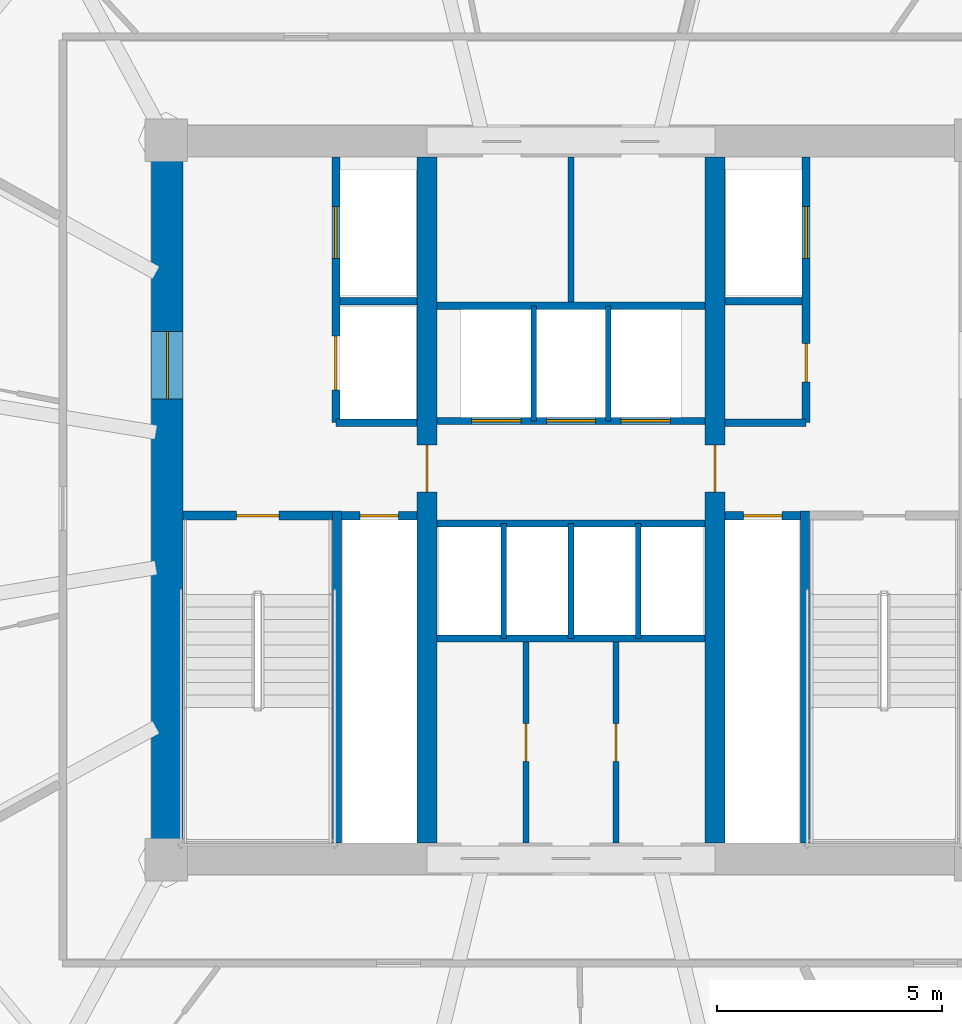
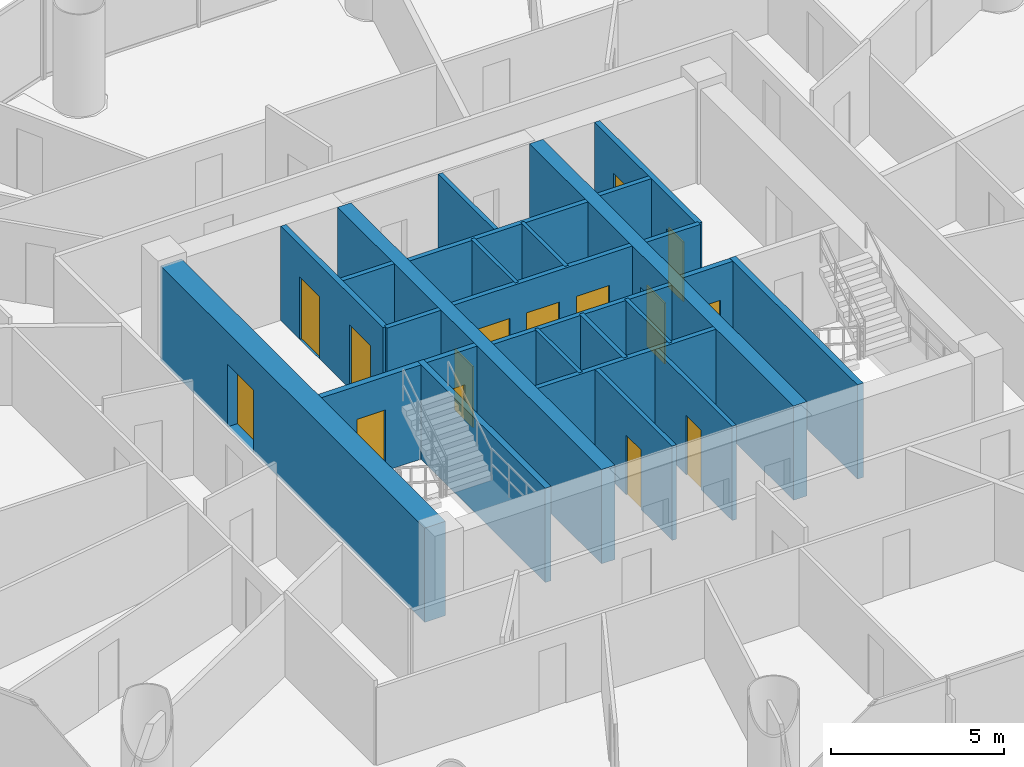
# One storey, part 22 of 28: 26 walls, 15 doors, 15 openings.
"""IFC4 building model written with IfcOpenShell, lengths in metres."""

from ifc_helpers import new_model, si_unit, direction, frame, frame_2d, origin, place, context, subcontext, project, spatial, rectangle, extrude, source, transform, mapped, material, layer, layer_set, type_object, element, fill, save


model = new_model("IFC4")

# Units and contexts
model_context = context("Model", 3, precision=1e-05, world=origin(), true_north=direction((-0.2419218956, 0.970295726276)))
body_context = subcontext(model_context, "Body", "Model", "MODEL_VIEW")
ifc_project = project(units=[si_unit("LENGTHUNIT", "METRE"), si_unit("AREAUNIT", "SQUARE_METRE"), si_unit("VOLUMEUNIT", "CUBIC_METRE"), si_unit("PLANEANGLEUNIT", "RADIAN"), si_unit("MASSUNIT", "GRAM", prefix="KILO")], contexts=[model_context])

# Site, building, storey
site_placement = place(None, origin())
site = spatial("IfcSite", under=ifc_project, at=site_placement, CompositionType="ELEMENT")
building_placement = place(site_placement, origin())
building = spatial("IfcBuilding", under=site, at=building_placement, Name="Cobrevalo Terracotta Tower", CompositionType="ELEMENT")
storey_placement = place(building_placement, frame((0.0, 0.0, 108.60009765625)))
storey = spatial("IfcBuildingStorey", under=building, at=storey_placement, Name="L28", CompositionType="ELEMENT", Elevation=108.60009765625)

# Wall, opening, door
ifc_material_1 = material(Name="Concrete C60", Category="concrete")
ifc_layer_1 = layer(ifc_material_1, 0.699951171875)
ifc_layer_set_1 = layer_set([ifc_layer_1], Name="Concrete C60")
wall_type_1 = type_object("IfcWallType", Name="Core shear wall 700 mm Concrete C60", PredefinedType="SHEAR", material=ifc_layer_set_1)
wall_1_placement = place(storey_placement, frame((29.02490234375, 19.175048828125, 0.0), z_axis=(0.0, 0.0, 1.0), x_axis=(0.0, 1.0, 0.0)))
wall_1 = element("IfcWall", 1, at=wall_1_placement, inside=storey, type_object=wall_type_1, Name="L28 west core shear wall", PredefinedType="SHEAR", context=body_context, shape_type="SweptSolid", body=[
    extrude(rectangle(XDim=15.25, YDim=0.699951171875, at=frame_2d((7.625, 0.0))), origin(), (0.0, 0.0, 1.0), 3.324951171875),
])
opening_1_placement = place(wall_1_placement, frame((9.875, 0.0, 0.0)))
opening_1 = element("IfcOpeningElement", 2, at=opening_1_placement, cuts=wall_1, Name="Opening ID-14", PredefinedType="OPENING", context=body_context, shape_type="SweptSolid", body=[
    extrude(rectangle(XDim=1.5, YDim=2.199951171875, at=frame_2d((0.75, 1.10009765625))), frame((0.0, 0.35986328125, 0.0), z_axis=(0.0, -1.0, 0.0), x_axis=(1.0, 0.0, 0.0)), (0.0, 0.0, 1.0), 0.719970703125),
])
ifc_material_2 = material(Name="Galvanized fire-rated steel", Category="steel")
door_type_1 = type_object("IfcDoorType", Name="Core cross-lobby double fire door 1500x2200 EI 90", OperationType="NOTDEFINED", PredefinedType="DOOR", material=ifc_material_2)
shared_shape_1 = source(origin(), body_context, "Body", "SweptSolid", [
    extrude(rectangle(XDim=1.5, YDim=2.199951171875, at=frame_2d((0.75, 1.10009765625))), frame((0.0, 0.02490234375, 0.0), z_axis=(0.0, -1.0, 0.0), x_axis=(1.0, 0.0, 0.0)), (0.0, 0.0, 1.0), 0.050048828125),
])
door_1_placement = place(opening_1_placement, origin())
door_1 = element("IfcDoor", 3, at=door_1_placement, inside=storey, type_object=door_type_1, Name="L28 west firefighting lobby entrance door", OperationType="DOUBLE_DOOR_SINGLE_SWING", OverallHeight=2.199951171875, OverallWidth=1.5, PredefinedType="DOOR", context=body_context, shape_type="MappedRepresentation", body=[
    mapped(shared_shape_1, transform((0.0, 0.0, 0.0), scale=1.0)),
])
fill(opening_1, door_1)

# Walls
ifc_material_3 = material(Name="Gypsum board on steel stud", Category="steel")
ifc_layer_2 = layer(ifc_material_3, 0.159912109375)
ifc_layer_set_2 = layer_set([ifc_layer_2], Name="Gypsum board on steel stud")
wall_type_2 = type_object("IfcWallType", Name="Fire-rated corridor acoustic partition wall 160 mm", PredefinedType="PARTITIONING", material=ifc_layer_set_2)
wall_2_placement = place(storey_placement, frame((32.860107421875, 31.219970703125, 0.0), z_axis=(0.0, 0.0, 1.0), x_axis=(1.0, 0.0, 0.0)))
element("IfcWall", 4, at=wall_2_placement, inside=storey, type_object=wall_type_2, Name="L28 interior partition IW-L28-FF1-M", PredefinedType="PARTITIONING", context=body_context, shape_type="SweptSolid", body=[
    extrude(rectangle(XDim=1.71484375, YDim=0.159912109375, at=frame_2d((0.857421875, 0.0))), origin(), (0.0, 0.0, 1.0), 3.324951171875),
])
wall_3_placement = place(storey_placement, frame((32.77001953125, 28.52001953125, 0.0), z_axis=(0.0, 0.0, 1.0), x_axis=(1.0, 0.0, 0.0)))
element("IfcWall", 5, at=wall_3_placement, inside=storey, type_object=wall_type_2, Name="L28 interior partition IW-L28-FF1-S", PredefinedType="PARTITIONING", context=body_context, shape_type="SweptSolid", body=[
    extrude(rectangle(XDim=1.804931640625, YDim=0.159912109375, at=frame_2d((0.90234375, 0.0))), origin(), (0.0, 0.0, 1.0), 3.324951171875),
])
wall_4_placement = place(storey_placement, frame((41.425048828125, 31.219970703125, 0.0), z_axis=(0.0, 0.0, 1.0), x_axis=(1.0, 0.0, 0.0)))
element("IfcWall", 6, at=wall_4_placement, inside=storey, type_object=wall_type_2, Name="L28 interior partition IW-L28-FF2-M", PredefinedType="PARTITIONING", context=body_context, shape_type="SweptSolid", body=[
    extrude(rectangle(XDim=1.71484375, YDim=0.159912109375, at=frame_2d((0.857421875, 0.0))), origin(), (0.0, 0.0, 1.0), 3.324951171875),
])
wall_5_placement = place(storey_placement, frame((41.425048828125, 28.52001953125, 0.0), z_axis=(0.0, 0.0, 1.0), x_axis=(1.0, 0.0, 0.0)))
element("IfcWall", 7, at=wall_5_placement, inside=storey, type_object=wall_type_2, Name="L28 interior partition IW-L28-FF2-S", PredefinedType="PARTITIONING", context=body_context, shape_type="SweptSolid", body=[
    extrude(rectangle(XDim=1.804931640625, YDim=0.159912109375, at=frame_2d((0.90234375, 0.0))), origin(), (0.0, 0.0, 1.0), 3.324951171875),
])

# Wall, openings, doors
wall_6_placement = place(storey_placement, frame((35.02490234375, 28.56005859375, 0.0), z_axis=(0.0, 0.0, 1.0), x_axis=(1.0, 0.0, 0.0)))
wall_6 = element("IfcWall", 8, at=wall_6_placement, inside=storey, type_object=wall_type_2, Name="L28 interior partition IW-L28-LB-S", PredefinedType="PARTITIONING", context=body_context, shape_type="SweptSolid", body=[
    extrude(rectangle(XDim=5.9501953125, YDim=0.159912109375, at=frame_2d((2.97509765625, 0.0))), origin(), (0.0, 0.0, 1.0), 3.324951171875),
])
opening_2_placement = place(wall_6_placement, frame((0.760009765625, 0.0, 0.0)))
opening_2 = element("IfcOpeningElement", 9, at=opening_2_placement, cuts=wall_6, Name="Opening LD-01", PredefinedType="OPENING", context=body_context, shape_type="SweptSolid", body=[
    extrude(rectangle(XDim=1.10009765625, YDim=2.199951171875, at=frame_2d((0.550048828125, 1.10009765625))), frame((0.0, 0.08984375, 0.0), z_axis=(0.0, -1.0, 0.0), x_axis=(1.0, 0.0, 0.0)), (0.0, 0.0, 1.0), 0.179931640625),
])
opening_3_placement = place(wall_6_placement, frame((2.425048828125, 0.0, 0.0)))
opening_3 = element("IfcOpeningElement", 10, at=opening_3_placement, cuts=wall_6, Name="Opening LD-01", PredefinedType="OPENING", context=body_context, shape_type="SweptSolid", body=[
    extrude(rectangle(XDim=1.10009765625, YDim=2.199951171875, at=frame_2d((0.550048828125, 1.10009765625))), frame((0.0, 0.08984375, 0.0), z_axis=(0.0, -1.0, 0.0), x_axis=(1.0, 0.0, 0.0)), (0.0, 0.0, 1.0), 0.179931640625),
])
opening_4_placement = place(wall_6_placement, frame((4.090087890625, 0.0, 0.0)))
opening_4 = element("IfcOpeningElement", 11, at=opening_4_placement, cuts=wall_6, Name="Opening LD-01", PredefinedType="OPENING", context=body_context, shape_type="SweptSolid", body=[
    extrude(rectangle(XDim=1.10009765625, YDim=2.199951171875, at=frame_2d((0.550048828125, 1.10009765625))), frame((0.0, 0.08984375, 0.0), z_axis=(0.0, -1.0, 0.0), x_axis=(1.0, 0.0, 0.0)), (0.0, 0.0, 1.0), 0.179931640625),
])
ifc_material_4 = material(Name="Brushed stainless steel", Category="steel")
door_type_2 = type_object("IfcDoorType", Name="Passenger lift landing bi-parting sliding door 1100x2200 EI 90", OperationType="DOUBLE_DOOR_SLIDING", PredefinedType="DOOR", material=ifc_material_4)
shared_shape_2 = source(origin(), body_context, "Body", "SweptSolid", [
    extrude(rectangle(XDim=1.10009765625, YDim=2.199951171875, at=frame_2d((0.550048828125, 1.10009765625))), frame((0.0, 0.02490234375, 0.0), z_axis=(0.0, -1.0, 0.0), x_axis=(1.0, 0.0, 0.0)), (0.0, 0.0, 1.0), 0.050048828125),
])
door_2_placement = place(opening_2_placement, origin())
door_2 = element("IfcDoor", 12, at=door_2_placement, inside=storey, type_object=door_type_2, Name="L28 lift landing door PL-L1", OperationType="DOUBLE_DOOR_SLIDING", OverallHeight=2.199951171875, OverallWidth=1.10009765625, PredefinedType="DOOR", context=body_context, shape_type="MappedRepresentation", body=[
    mapped(shared_shape_2, transform((0.0, 0.0, 0.0), scale=1.0)),
])
fill(opening_2, door_2)
door_3_placement = place(opening_3_placement, origin())
door_3 = element("IfcDoor", 13, at=door_3_placement, inside=storey, type_object=door_type_2, Name="L28 lift landing door PL-L2", OperationType="DOUBLE_DOOR_SLIDING", OverallHeight=2.199951171875, OverallWidth=1.10009765625, PredefinedType="DOOR", context=body_context, shape_type="MappedRepresentation", body=[
    mapped(shared_shape_2, transform((0.0, 0.0, 0.0), scale=1.0)),
])
fill(opening_3, door_3)
door_4_placement = place(opening_4_placement, origin())
door_4 = element("IfcDoor", 14, at=door_4_placement, inside=storey, type_object=door_type_2, Name="L28 lift landing door PL-L3", OperationType="DOUBLE_DOOR_SLIDING", OverallHeight=2.199951171875, OverallWidth=1.10009765625, PredefinedType="DOOR", context=body_context, shape_type="MappedRepresentation", body=[
    mapped(shared_shape_2, transform((0.0, 0.0, 0.0), scale=1.0)),
])
fill(opening_4, door_4)

# Walls
for number, where, z_axis, x_axis, name in (
    (15, (35.02490234375, 31.1201171875, 0.0), (0.0, 0.0, 1.0), (1.0, 0.0, 0.0), "L28 interior partition IW-L28-LB-N"),
    (16, (35.02490234375, 26.280029296875, 0.0), (0.0, 0.0, 1.0), (1.0, 0.0, 0.0), "L28 interior partition IW-L28-MB-N"),
    (17, (35.02490234375, 23.719970703125, 0.0), (0.0, 0.0, 1.0), (1.0, 0.0, 0.0), "L28 interior partition IW-L28-MB-S"),
):
    element("IfcWall", number, at=place(storey_placement, frame(where, z_axis=z_axis, x_axis=x_axis)), inside=storey, type_object=wall_type_2, Name=name, PredefinedType="PARTITIONING", context=body_context, shape_type="SweptSolid", body=[
        extrude(rectangle(XDim=5.9501953125, YDim=0.159912109375, at=frame_2d((2.97509765625, 0.0))), origin(), (0.0, 0.0, 1.0), 3.324951171875),
    ])

# Wall, opening, door
ifc_layer_3 = layer(ifc_material_3, 0.179931640625)
ifc_layer_set_3 = layer_set([ifc_layer_3], Name="Gypsum board on steel stud")
wall_type_3 = type_object("IfcWallType", Name="Fire-rated shaft & lobby acoustic partition wall 180 mm", PredefinedType="PARTITIONING", material=ifc_layer_set_3)
wall_7_placement = place(storey_placement, frame((32.89990234375, 26.449951171875, 0.0), z_axis=(0.0, 0.0, 1.0), x_axis=(1.0, 0.0, 0.0)))
wall_7 = element("IfcWall", 18, at=wall_7_placement, inside=storey, type_object=wall_type_3, Name="L28 interior partition IW-L28-RSW-N", PredefinedType="PARTITIONING", context=body_context, shape_type="SweptSolid", body=[
    extrude(rectangle(XDim=1.675048828125, YDim=0.179931640625, at=frame_2d((0.83740234375, 0.0))), origin(), (0.0, 0.0, 1.0), 3.324951171875),
])
opening_5_placement = place(wall_7_placement, frame((0.41259765625, 0.0, 0.0)))
opening_5 = element("IfcOpeningElement", 19, at=opening_5_placement, cuts=wall_7, Name="Opening ID-22", PredefinedType="OPENING", context=body_context, shape_type="SweptSolid", body=[
    extrude(rectangle(XDim=0.85009765625, YDim=2.10009765625, at=frame_2d((0.425048828125, 1.050048828125))), frame((0.0, 0.10009765625, 0.0), z_axis=(0.0, -1.0, 0.0), x_axis=(1.0, 0.0, 0.0)), (0.0, 0.0, 1.0), 0.199951171875),
])
ifc_material_5 = material(Name="Powder-coated steel", Category="steel")
door_type_3 = type_object("IfcDoorType", Name="Riser shaft & meter closet fire access door 850x2100 EI 60", OperationType="NOTDEFINED", PredefinedType="DOOR", material=ifc_material_5)
shared_shape_3 = source(origin(), body_context, "Body", "SweptSolid", [
    extrude(rectangle(XDim=0.85009765625, YDim=2.10009765625, at=frame_2d((0.425048828125, 1.050048828125))), frame((0.0, 0.02490234375, 0.0), z_axis=(0.0, -1.0, 0.0), x_axis=(1.0, 0.0, 0.0)), (0.0, 0.0, 1.0), 0.050048828125),
])
door_5_placement = place(opening_5_placement, origin())
door_5 = element("IfcDoor", 20, at=door_5_placement, inside=storey, type_object=door_type_3, Name="L28 riser access door RSW", OperationType="SINGLE_SWING_LEFT", OverallHeight=2.10009765625, OverallWidth=0.85009765625, PredefinedType="DOOR", context=body_context, shape_type="MappedRepresentation", body=[
    mapped(shared_shape_3, transform((0.0, 0.0, 0.0), scale=1.0)),
])
fill(opening_5, door_5)

wall_8_placement = place(storey_placement, frame((41.425048828125, 26.449951171875, 0.0), z_axis=(0.0, 0.0, 1.0), x_axis=(1.0, 0.0, 0.0)))
wall_8 = element("IfcWall", 21, at=wall_8_placement, inside=storey, type_object=wall_type_3, Name="L28 interior partition IW-L28-RSE-N", PredefinedType="PARTITIONING", context=body_context, shape_type="SweptSolid", body=[
    extrude(rectangle(XDim=1.675048828125, YDim=0.179931640625, at=frame_2d((0.83740234375, 0.0))), origin(), (0.0, 0.0, 1.0), 3.324951171875),
])
opening_6_placement = place(wall_8_placement, frame((0.41259765625, 0.0, 0.0)))
opening_6 = element("IfcOpeningElement", 22, at=opening_6_placement, cuts=wall_8, Name="Opening ID-22", PredefinedType="OPENING", context=body_context, shape_type="SweptSolid", body=[
    extrude(rectangle(XDim=0.85009765625, YDim=2.10009765625, at=frame_2d((0.425048828125, 1.050048828125))), frame((0.0, 0.10009765625, 0.0), z_axis=(0.0, -1.0, 0.0), x_axis=(1.0, 0.0, 0.0)), (0.0, 0.0, 1.0), 0.199951171875),
])
door_6_placement = place(opening_6_placement, origin())
door_6 = element("IfcDoor", 23, at=door_6_placement, inside=storey, type_object=door_type_3, Name="L28 riser access door RSE", OperationType="SINGLE_SWING_RIGHT", OverallHeight=2.10009765625, OverallWidth=0.85009765625, PredefinedType="DOOR", context=body_context, shape_type="MappedRepresentation", body=[
    mapped(shared_shape_3, transform((0.0, 0.0, 0.0), scale=1.0)),
])
fill(opening_6, door_6)

# Wall, openings, doors
wall_9_placement = place(storey_placement, frame((32.77001953125, 28.52001953125, 0.0), z_axis=(0.0, 0.0, 1.0), x_axis=(0.0, 1.0, 0.0)))
wall_9 = element("IfcWall", 24, at=wall_9_placement, inside=storey, type_object=wall_type_3, Name="L28 interior partition IW-L28-FF1-W", PredefinedType="PARTITIONING", context=body_context, shape_type="SweptSolid", body=[
    extrude(rectangle(XDim=5.905029296875, YDim=0.179931640625, at=frame_2d((2.95263671875, 0.0))), origin(), (0.0, 0.0, 1.0), 3.324951171875),
])
opening_7_placement = place(wall_9_placement, frame((3.655029296875, 0.0, 0.0)))
opening_7 = element("IfcOpeningElement", 25, at=opening_7_placement, cuts=wall_9, Name="Opening LD-02", PredefinedType="OPENING", context=body_context, shape_type="SweptSolid", body=[
    extrude(rectangle(XDim=1.14990234375, YDim=2.199951171875, at=frame_2d((0.574951171875, 1.10009765625))), frame((0.0, 0.10009765625, 0.0), z_axis=(0.0, -1.0, 0.0), x_axis=(1.0, 0.0, 0.0)), (0.0, 0.0, 1.0), 0.199951171875),
])
opening_8_placement = place(wall_9_placement, frame((0.72998046875, 0.0, 0.0)))
opening_8 = element("IfcOpeningElement", 26, at=opening_8_placement, cuts=wall_9, Name="Opening LD-03", PredefinedType="OPENING", context=body_context, shape_type="SweptSolid", body=[
    extrude(rectangle(XDim=1.199951171875, YDim=2.25, at=frame_2d((0.60009765625, 1.125))), frame((0.0, 0.10009765625, 0.0), z_axis=(0.0, -1.0, 0.0), x_axis=(1.0, 0.0, 0.0)), (0.0, 0.0, 1.0), 0.199951171875),
])
door_type_4 = type_object("IfcDoorType", Name="Firefighting lift landing bi-parting sliding door 1150x2200 EI 120", OperationType="DOUBLE_DOOR_SLIDING", PredefinedType="DOOR", material=ifc_material_4)
shared_shape_4 = source(origin(), body_context, "Body", "SweptSolid", [
    extrude(rectangle(XDim=1.14990234375, YDim=2.199951171875, at=frame_2d((0.574951171875, 1.10009765625))), frame((0.0, 0.02490234375, 0.0), z_axis=(0.0, -1.0, 0.0), x_axis=(1.0, 0.0, 0.0)), (0.0, 0.0, 1.0), 0.050048828125),
])
door_7_placement = place(opening_7_placement, origin())
door_7 = element("IfcDoor", 27, at=door_7_placement, inside=storey, type_object=door_type_4, Name="L28 lift landing door FF-1", OperationType="DOUBLE_DOOR_SLIDING", OverallHeight=2.199951171875, OverallWidth=1.14990234375, PredefinedType="DOOR", context=body_context, shape_type="MappedRepresentation", body=[
    mapped(shared_shape_4, transform((0.0, 0.0, 0.0), scale=1.0)),
])
fill(opening_7, door_7)
door_type_5 = type_object("IfcDoorType", Name="Service lift landing bi-parting sliding door 1200x2250 EI 120", OperationType="DOUBLE_DOOR_SLIDING", PredefinedType="DOOR", material=ifc_material_4)
shared_shape_5 = source(origin(), body_context, "Body", "SweptSolid", [
    extrude(rectangle(XDim=1.199951171875, YDim=2.25, at=frame_2d((0.60009765625, 1.125))), frame((0.0, 0.02490234375, 0.0), z_axis=(0.0, -1.0, 0.0), x_axis=(1.0, 0.0, 0.0)), (0.0, 0.0, 1.0), 0.050048828125),
])
door_8_placement = place(opening_8_placement, origin())
door_8 = element("IfcDoor", 28, at=door_8_placement, inside=storey, type_object=door_type_5, Name="L28 lift landing door SV-1", OperationType="DOUBLE_DOOR_SLIDING", OverallHeight=2.25, OverallWidth=1.199951171875, PredefinedType="DOOR", context=body_context, shape_type="MappedRepresentation", body=[
    mapped(shared_shape_5, transform((0.0, 0.0, 0.0), scale=1.0)),
])
fill(opening_8, door_8)

wall_10_placement = place(storey_placement, frame((43.22998046875, 28.52001953125, 0.0), z_axis=(0.0, 0.0, 1.0), x_axis=(0.0, 1.0, 0.0)))
wall_10 = element("IfcWall", 29, at=wall_10_placement, inside=storey, type_object=wall_type_3, Name="L28 interior partition IW-L28-FF2-E", PredefinedType="PARTITIONING", context=body_context, shape_type="SweptSolid", body=[
    extrude(rectangle(XDim=5.905029296875, YDim=0.179931640625, at=frame_2d((2.95263671875, 0.0))), origin(), (0.0, 0.0, 1.0), 3.324951171875),
])
opening_9_placement = place(wall_10_placement, frame((0.905029296875, 0.0, 0.0)))
opening_9 = element("IfcOpeningElement", 30, at=opening_9_placement, cuts=wall_10, Name="Opening ID-22", PredefinedType="OPENING", context=body_context, shape_type="SweptSolid", body=[
    extrude(rectangle(XDim=0.85009765625, YDim=2.10009765625, at=frame_2d((0.425048828125, 1.050048828125))), frame((0.0, 0.10009765625, 0.0), z_axis=(0.0, -1.0, 0.0), x_axis=(1.0, 0.0, 0.0)), (0.0, 0.0, 1.0), 0.199951171875),
])
opening_10_placement = place(wall_10_placement, frame((3.655029296875, 0.0, 0.0)))
opening_10 = element("IfcOpeningElement", 31, at=opening_10_placement, cuts=wall_10, Name="Opening LD-02", PredefinedType="OPENING", context=body_context, shape_type="SweptSolid", body=[
    extrude(rectangle(XDim=1.14990234375, YDim=2.199951171875, at=frame_2d((0.574951171875, 1.10009765625))), frame((0.0, 0.10009765625, 0.0), z_axis=(0.0, -1.0, 0.0), x_axis=(1.0, 0.0, 0.0)), (0.0, 0.0, 1.0), 0.199951171875),
])
door_9_placement = place(opening_9_placement, frame((0.85009765625, 0.0, 0.0), z_axis=(0.0, 0.0, 1.0), x_axis=(-1.0, 0.0, 0.0)))
door_9 = element("IfcDoor", 32, at=door_9_placement, inside=storey, type_object=door_type_3, Name="L28 housekeeping store door", OperationType="SINGLE_SWING_RIGHT", OverallHeight=2.10009765625, OverallWidth=0.85009765625, PredefinedType="DOOR", context=body_context, shape_type="MappedRepresentation", body=[
    mapped(shared_shape_3, transform((0.0, 0.0, 0.0), scale=1.0)),
])
fill(opening_9, door_9)
door_10_placement = place(opening_10_placement, origin())
door_10 = element("IfcDoor", 33, at=door_10_placement, inside=storey, type_object=door_type_4, Name="L28 lift landing door FF-2", OperationType="DOUBLE_DOOR_SLIDING", OverallHeight=2.199951171875, OverallWidth=1.14990234375, PredefinedType="DOOR", context=body_context, shape_type="MappedRepresentation", body=[
    mapped(shared_shape_4, transform((0.0, 0.0, 0.0), scale=1.0)),
])
fill(opening_10, door_10)

# Walls
ifc_material_6 = material(Name="Autoclaved aerated concrete block", Category="concrete")
ifc_layer_4 = layer(ifc_material_6, 0.1201171875)
ifc_layer_set_4 = layer_set([ifc_layer_4], Name="Autoclaved aerated concrete block")
wall_type_4 = type_object("IfcWallType", Name="Fire-rated wet-room & core service partition 120 mm", PredefinedType="PARTITIONING", material=ifc_layer_set_4)
for number, where, z_axis, x_axis, name in (
    (34, (37.169921875, 28.56005859375, 0.0), (0.0, 0.0, 1.0), (0.0, 1.0, 0.0), "L28 interior partition IW-L28-LB-D1"),
    (35, (38.830078125, 28.56005859375, 0.0), (0.0, 0.0, 1.0), (0.0, 1.0, 0.0), "L28 interior partition IW-L28-LB-D2"),
    (36, (36.5, 23.719970703125, 0.0), (0.0, 0.0, 1.0), (0.0, 1.0, 0.0), "L28 interior partition IW-L28-MB-D1"),
    (37, (39.5, 23.719970703125, 0.0), (0.0, 0.0, 1.0), (0.0, 1.0, 0.0), "L28 interior partition IW-L28-MB-D3"),
):
    element("IfcWall", number, at=place(storey_placement, frame(where, z_axis=z_axis, x_axis=x_axis)), inside=storey, type_object=wall_type_4, Name=name, PredefinedType="PARTITIONING", context=body_context, shape_type="SweptSolid", body=[
        extrude(rectangle(XDim=2.56005859375, YDim=0.1201171875, at=frame_2d((1.280029296875, 0.0))), origin(), (0.0, 0.0, 1.0), 3.324951171875),
    ])

# Wall, opening, door
ifc_material_7 = material(Name="Concrete C55", Category="concrete")
ifc_layer_5 = layer(ifc_material_7, 0.449951171875)
ifc_layer_set_5 = layer_set([ifc_layer_5], Name="Concrete C55")
wall_type_5 = type_object("IfcWallType", Name="Internal core shear web wall 450 mm Concrete C55", PredefinedType="SHEAR", material=ifc_layer_set_5)
wall_11_placement = place(storey_placement, frame((34.800048828125, 19.175048828125, 0.0), z_axis=(0.0, 0.0, 1.0), x_axis=(0.0, 1.0, 0.0)))
wall_11 = element("IfcWall", 38, at=wall_11_placement, inside=storey, type_object=wall_type_5, Name="L28 internal core shear wall WEB-W", PredefinedType="SHEAR", context=body_context, shape_type="SweptSolid", body=[
    extrude(rectangle(XDim=15.25, YDim=0.449951171875, at=frame_2d((7.625, 0.0))), origin(), (0.0, 0.0, 1.0), 3.324951171875),
])
opening_11_placement = place(wall_11_placement, frame((7.800048828125, 0.0, 0.0)))
opening_11 = element("IfcOpeningElement", 39, at=opening_11_placement, cuts=wall_11, Name="Opening ID-11", PredefinedType="OPENING", context=body_context, shape_type="SweptSolid", body=[
    extrude(rectangle(XDim=1.050048828125, YDim=2.14990234375, at=frame_2d((0.52490234375, 1.074951171875))), frame((0.0, 0.23486328125, 0.0), z_axis=(0.0, -1.0, 0.0), x_axis=(1.0, 0.0, 0.0)), (0.0, 0.0, 1.0), 0.469970703125),
])
door_type_6 = type_object("IfcDoorType", Name="Core concourse cross fire door 1050x2150 EI 90", OperationType="NOTDEFINED", PredefinedType="DOOR", material=ifc_material_2)
shared_shape_6 = source(origin(), body_context, "Body", "SweptSolid", [
    extrude(rectangle(XDim=1.050048828125, YDim=2.14990234375, at=frame_2d((0.52490234375, 1.074951171875))), frame((0.0, 0.02490234375, 0.0), z_axis=(0.0, -1.0, 0.0), x_axis=(1.0, 0.0, 0.0)), (0.0, 0.0, 1.0), 0.050048828125),
])
door_11_placement = place(opening_11_placement, origin())
door_11 = element("IfcDoor", 40, at=door_11_placement, inside=storey, type_object=door_type_6, Name="L28 west core concourse cross door", OperationType="SINGLE_SWING_LEFT", OverallHeight=2.14990234375, OverallWidth=1.050048828125, PredefinedType="DOOR", context=body_context, shape_type="MappedRepresentation", body=[
    mapped(shared_shape_6, transform((0.0, 0.0, 0.0), scale=1.0)),
])
fill(opening_11, door_11)

wall_12_placement = place(storey_placement, frame((41.199951171875, 19.175048828125, 0.0), z_axis=(0.0, 0.0, 1.0), x_axis=(0.0, 1.0, 0.0)))
wall_12 = element("IfcWall", 41, at=wall_12_placement, inside=storey, type_object=wall_type_5, Name="L28 internal core shear wall WEB-E", PredefinedType="SHEAR", context=body_context, shape_type="SweptSolid", body=[
    extrude(rectangle(XDim=15.25, YDim=0.449951171875, at=frame_2d((7.625, 0.0))), origin(), (0.0, 0.0, 1.0), 3.324951171875),
])
opening_12_placement = place(wall_12_placement, frame((7.800048828125, 0.0, 0.0)))
opening_12 = element("IfcOpeningElement", 42, at=opening_12_placement, cuts=wall_12, Name="Opening ID-11", PredefinedType="OPENING", context=body_context, shape_type="SweptSolid", body=[
    extrude(rectangle(XDim=1.050048828125, YDim=2.14990234375, at=frame_2d((0.52490234375, 1.074951171875))), frame((0.0, 0.23486328125, 0.0), z_axis=(0.0, -1.0, 0.0), x_axis=(1.0, 0.0, 0.0)), (0.0, 0.0, 1.0), 0.469970703125),
])
door_12_placement = place(opening_12_placement, frame((1.050048828125, 0.0, 0.0), z_axis=(0.0, 0.0, 1.0), x_axis=(-1.0, 0.0, 0.0)))
door_12 = element("IfcDoor", 43, at=door_12_placement, inside=storey, type_object=door_type_6, Name="L28 east core concourse cross door", OperationType="SINGLE_SWING_RIGHT", OverallHeight=2.14990234375, OverallWidth=1.050048828125, PredefinedType="DOOR", context=body_context, shape_type="MappedRepresentation", body=[
    mapped(shared_shape_6, transform((0.0, 0.0, 0.0), scale=1.0)),
])
fill(opening_12, door_12)

# Walls
ifc_layer_6 = layer(ifc_material_6, 0.139892578125)
ifc_layer_set_6 = layer_set([ifc_layer_6], Name="Autoclaved aerated concrete block")
wall_type_6 = type_object("IfcWallType", Name="Moisture-resistant wet-room & core service partition 140 mm", PredefinedType="PARTITIONING", material=ifc_layer_set_6)
wall_13_placement = place(storey_placement, frame((38.0, 31.199951171875, 0.0), z_axis=(0.0, 0.0, 1.0), x_axis=(0.0, 1.0, 0.0)))
element("IfcWall", 44, at=wall_13_placement, inside=storey, type_object=wall_type_6, Name="L28 interior partition IW-L28-KVN-1", PredefinedType="PARTITIONING", context=body_context, shape_type="SweptSolid", body=[
    extrude(rectangle(XDim=3.22509765625, YDim=0.139892578125, at=frame_2d((1.612548828125, 0.0))), origin(), (0.0, 0.0, 1.0), 3.324951171875),
])
wall_14_placement = place(storey_placement, frame((38.0, 23.719970703125, 0.0), z_axis=(0.0, 0.0, 1.0), x_axis=(0.0, 1.0, 0.0)))
element("IfcWall", 45, at=wall_14_placement, inside=storey, type_object=wall_type_6, Name="L28 interior partition IW-L28-MB-D2", PredefinedType="PARTITIONING", context=body_context, shape_type="SweptSolid", body=[
    extrude(rectangle(XDim=2.56005859375, YDim=0.139892578125, at=frame_2d((1.280029296875, 0.0))), origin(), (0.0, 0.0, 1.0), 3.324951171875),
])

# Wall, opening, door
wall_15_placement = place(storey_placement, frame((37.0, 19.175048828125, 0.0), z_axis=(0.0, 0.0, 1.0), x_axis=(0.0, 1.0, 0.0)))
wall_15 = element("IfcWall", 46, at=wall_15_placement, inside=storey, type_object=wall_type_6, Name="L28 interior partition IW-L28-KVS-V1", PredefinedType="PARTITIONING", context=body_context, shape_type="SweptSolid", body=[
    extrude(rectangle(XDim=4.46484375, YDim=0.139892578125, at=frame_2d((2.232421875, 0.0))), origin(), (0.0, 0.0, 1.0), 3.324951171875),
])
opening_13_placement = place(wall_15_placement, frame((1.8076171875, 0.0, 0.0)))
opening_13 = element("IfcOpeningElement", 47, at=opening_13_placement, cuts=wall_15, Name="Opening ID-22", PredefinedType="OPENING", context=body_context, shape_type="SweptSolid", body=[
    extrude(rectangle(XDim=0.85009765625, YDim=2.10009765625, at=frame_2d((0.425048828125, 1.050048828125))), frame((0.0, 0.080078125, 0.0), z_axis=(0.0, -1.0, 0.0), x_axis=(1.0, 0.0, 0.0)), (0.0, 0.0, 1.0), 0.159912109375),
])
door_13_placement = place(opening_13_placement, origin())
door_13 = element("IfcDoor", 48, at=door_13_placement, inside=storey, type_object=door_type_3, Name="L28 core KVS-V1 inner door", OperationType="SINGLE_SWING_LEFT", OverallHeight=2.10009765625, OverallWidth=0.85009765625, PredefinedType="DOOR", context=body_context, shape_type="MappedRepresentation", body=[
    mapped(shared_shape_3, transform((0.0, 0.0, 0.0), scale=1.0)),
])
fill(opening_13, door_13)

wall_16_placement = place(storey_placement, frame((39.0, 19.175048828125, 0.0), z_axis=(0.0, 0.0, 1.0), x_axis=(0.0, 1.0, 0.0)))
wall_16 = element("IfcWall", 49, at=wall_16_placement, inside=storey, type_object=wall_type_6, Name="L28 interior partition IW-L28-KVS-V2", PredefinedType="PARTITIONING", context=body_context, shape_type="SweptSolid", body=[
    extrude(rectangle(XDim=4.46484375, YDim=0.139892578125, at=frame_2d((2.232421875, 0.0))), origin(), (0.0, 0.0, 1.0), 3.324951171875),
])
opening_14_placement = place(wall_16_placement, frame((1.8076171875, 0.0, 0.0)))
opening_14 = element("IfcOpeningElement", 50, at=opening_14_placement, cuts=wall_16, Name="Opening ID-22", PredefinedType="OPENING", context=body_context, shape_type="SweptSolid", body=[
    extrude(rectangle(XDim=0.85009765625, YDim=2.10009765625, at=frame_2d((0.425048828125, 1.050048828125))), frame((0.0, 0.080078125, 0.0), z_axis=(0.0, -1.0, 0.0), x_axis=(1.0, 0.0, 0.0)), (0.0, 0.0, 1.0), 0.159912109375),
])
door_14_placement = place(opening_14_placement, origin())
door_14 = element("IfcDoor", 51, at=door_14_placement, inside=storey, type_object=door_type_3, Name="L28 core KVS-V2 inner door", OperationType="SINGLE_SWING_LEFT", OverallHeight=2.10009765625, OverallWidth=0.85009765625, PredefinedType="DOOR", context=body_context, shape_type="MappedRepresentation", body=[
    mapped(shared_shape_3, transform((0.0, 0.0, 0.0), scale=1.0)),
])
fill(opening_14, door_14)

# Wall
ifc_material_8 = material(Name="Concrete C50", Category="concrete")
ifc_layer_7 = layer(ifc_material_8, 0.199951171875)
ifc_layer_set_7 = layer_set([ifc_layer_7], Name="Concrete C50")
wall_type_7 = type_object("IfcWallType", Name="Structural core & podium stair-shaft RC wall 200 mm Concrete C50", PredefinedType="SOLIDWALL", material=ifc_layer_set_7)
wall_17_placement = place(storey_placement, frame((32.794921875, 19.175048828125, 0.0), z_axis=(0.0, 0.0, 1.0), x_axis=(0.0, 1.0, 0.0)))
element("IfcWall", 52, at=wall_17_placement, inside=storey, type_object=wall_type_7, Name="L28 ST-1 east structural shaft wall", PredefinedType="SOLIDWALL", context=body_context, shape_type="SweptSolid", body=[
    extrude(rectangle(XDim=7.375, YDim=0.199951171875, at=frame_2d((3.6875, 0.0))), origin(), (0.0, 0.0, 1.0), 3.324951171875),
])

# Wall, opening, door
wall_18_placement = place(storey_placement, frame((29.375, 26.449951171875, 0.0), z_axis=(0.0, 0.0, 1.0), x_axis=(1.0, 0.0, 0.0)))
wall_18 = element("IfcWall", 53, at=wall_18_placement, inside=storey, type_object=wall_type_7, Name="L28 ST-1 north structural shaft wall", PredefinedType="SOLIDWALL", context=body_context, shape_type="SweptSolid", body=[
    extrude(rectangle(XDim=3.320068359375, YDim=0.199951171875, at=frame_2d((1.66015625, 0.0))), origin(), (0.0, 0.0, 1.0), 3.324951171875),
])
opening_15_placement = place(wall_18_placement, frame((1.18505859375, 0.0, 0.0)))
opening_15 = element("IfcOpeningElement", 54, at=opening_15_placement, cuts=wall_18, Name="Opening ID-04", PredefinedType="OPENING", context=body_context, shape_type="SweptSolid", body=[
    extrude(rectangle(XDim=0.949951171875, YDim=2.14990234375, at=frame_2d((0.47509765625, 1.074951171875))), frame((0.0, 0.10986328125, 0.0), z_axis=(0.0, -1.0, 0.0), x_axis=(1.0, 0.0, 0.0)), (0.0, 0.0, 1.0), 0.219970703125),
])
door_type_7 = type_object("IfcDoorType", Name="Stair & firefighting lobby fire door 950x2150 EI 90", OperationType="NOTDEFINED", PredefinedType="DOOR", material=ifc_material_2)
shared_shape_7 = source(origin(), body_context, "Body", "SweptSolid", [
    extrude(rectangle(XDim=0.949951171875, YDim=2.14990234375, at=frame_2d((0.47509765625, 1.074951171875))), frame((0.0, 0.02490234375, 0.0), z_axis=(0.0, -1.0, 0.0), x_axis=(1.0, 0.0, 0.0)), (0.0, 0.0, 1.0), 0.050048828125),
])
door_15_placement = place(opening_15_placement, origin())
door_15 = element("IfcDoor", 55, at=door_15_placement, inside=storey, type_object=door_type_7, Name="L28 protected stair ST1 fire door", OperationType="SINGLE_SWING_LEFT", OverallHeight=2.14990234375, OverallWidth=0.949951171875, PredefinedType="DOOR", context=body_context, shape_type="MappedRepresentation", body=[
    mapped(shared_shape_7, transform((0.0, 0.0, 0.0), scale=1.0)),
])
fill(opening_15, door_15)

# Wall
wall_19_placement = place(storey_placement, frame((43.205078125, 19.175048828125, 0.0), z_axis=(0.0, 0.0, 1.0), x_axis=(0.0, 1.0, 0.0)))
element("IfcWall", 56, at=wall_19_placement, inside=storey, type_object=wall_type_7, Name="L28 ST-2 west structural shaft wall", PredefinedType="SOLIDWALL", context=body_context, shape_type="SweptSolid", body=[
    extrude(rectangle(XDim=7.375, YDim=0.199951171875, at=frame_2d((3.6875, 0.0))), origin(), (0.0, 0.0, 1.0), 3.324951171875),
])

save(model, "model.ifc")
